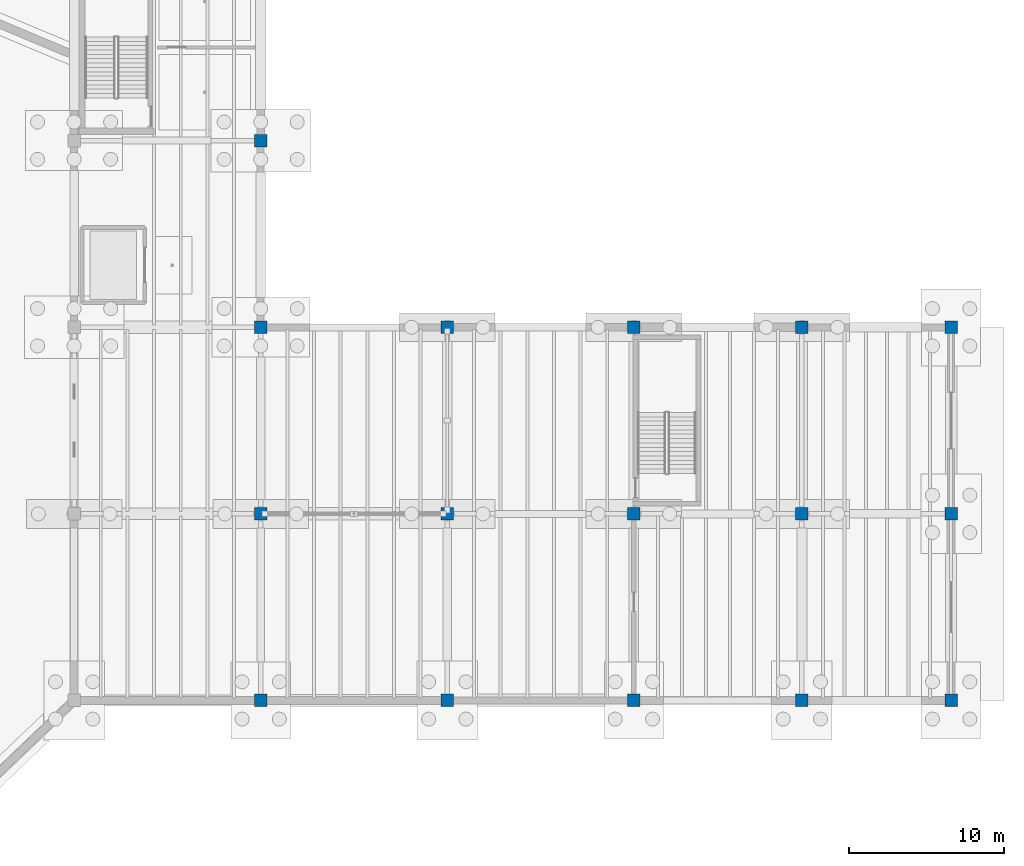
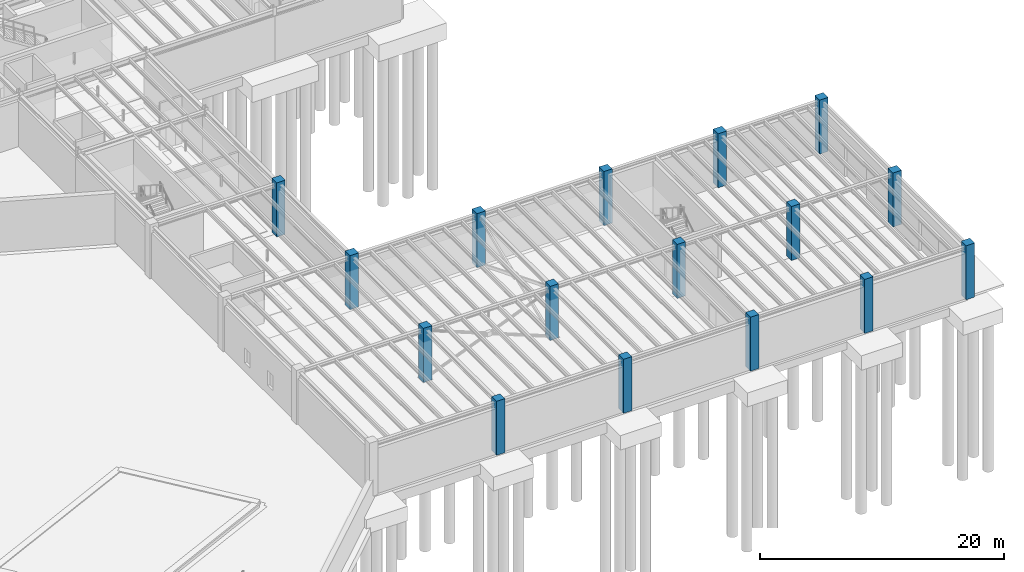
# One storey, part 19 of 67: 16 columns.
"""IFC4 building model written with IfcOpenShell, lengths in metres."""

from ifc_helpers import new_model, si_unit, direction, frame, origin, origin_2d, place, context, subcontext, project, spatial, rectangle, extrude, material, material_profile, profile_set, type_object, element, save


model = new_model("IFC4")

# Units and contexts
model_context = context("Model", 3, precision=1e-05, world=origin(), true_north=direction((0.0, 1.0)))
body_context = subcontext(model_context, "Body", "Model", "MODEL_VIEW")
ifc_project = project(units=[si_unit("LENGTHUNIT", "METRE"), si_unit("AREAUNIT", "SQUARE_METRE"), si_unit("VOLUMEUNIT", "CUBIC_METRE"), si_unit("PLANEANGLEUNIT", "RADIAN"), si_unit("MASSUNIT", "GRAM", prefix="KILO")], contexts=[model_context])

# Site, building, storey
site_placement = place(None, origin())
site = spatial("IfcSite", under=ifc_project, at=site_placement, CompositionType="ELEMENT")
building_placement = place(site_placement, origin())
building = spatial("IfcBuilding", under=site, at=building_placement, Name="Zlatogorsky Bluff Art Gallery", CompositionType="ELEMENT")
storey_placement = place(building_placement, frame((0.0, 0.0, -5.39990234375)))
storey = spatial("IfcBuildingStorey", under=building, at=storey_placement, Name="B1", CompositionType="ELEMENT", Elevation=-5.39990234375)

# Columns
ifc_material = material(Name="Concrete C35/45", Category="concrete")
ifc_material_profile = material_profile(ifc_material, rectangle(XDim=0.800048828125, YDim=0.800048828125, at=origin_2d()), Name="RC 800x800")
ifc_profile_set = profile_set([ifc_material_profile], Name="Concrete C35/45")
column_type = type_object("IfcColumnType", Name="Column CL-11 RC 800x800", PredefinedType="COLUMN", material=ifc_profile_set)
for number, where, z_axis, x_axis, name in (
    (1, (132.0, 26.39990234375, 0.0), (0.0, 0.0, 1.0), (1.0, 0.0, 0.0), "Column CL-11 B1 M4"),
    (2, (132.0, 38.39990234375, 0.0), (0.0, 0.0, 1.0), (1.0, 0.0, 0.0), "Column CL-11 B1 M5"),
    (3, (132.0, 50.39990234375, 0.0), (0.0, 0.0, 1.0), (1.0, 0.0, 0.0), "Column CL-11 B1 M6"),
    (4, (132.0, 62.39990234375, 0.0), (0.0, 0.0, 1.0), (1.0, 0.0, 0.0), "Column CL-11 B1 M7"),
    (5, (144.0, 26.39990234375, 0.0), (0.0, 0.0, 1.0), (1.0, 0.0, 0.0), "Column CL-11 B1 N4"),
    (6, (144.0, 38.39990234375, 0.0), (0.0, 0.0, 1.0), (1.0, 0.0, 0.0), "Column CL-11 B1 N5"),
    (7, (144.0, 50.39990234375, 0.0), (0.0, 0.0, 1.0), (1.0, 0.0, 0.0), "Column CL-11 B1 N6"),
    (8, (156.0, 26.39990234375, 0.0), (0.0, 0.0, 1.0), (1.0, 0.0, 0.0), "Column CL-11 B1 P4"),
    (9, (156.0, 38.39990234375, 0.0), (0.0, 0.0, 1.0), (1.0, 0.0, 0.0), "Column CL-11 B1 P5"),
    (10, (156.0, 50.39990234375, 0.0), (0.0, 0.0, 1.0), (1.0, 0.0, 0.0), "Column CL-11 B1 P6"),
    (11, (166.800048828125, 26.39990234375, 0.0), (0.0, 0.0, 1.0), (1.0, 0.0, 0.0), "Column CL-11 B1 Q4"),
    (12, (166.800048828125, 38.39990234375, 0.0), (0.0, 0.0, 1.0), (1.0, 0.0, 0.0), "Column CL-11 B1 Q5"),
    (13, (166.800048828125, 50.39990234375, 0.0), (0.0, 0.0, 1.0), (1.0, 0.0, 0.0), "Column CL-11 B1 Q6"),
    (14, (176.39990234375, 26.39990234375, 0.0), (0.0, 0.0, 1.0), (1.0, 0.0, 0.0), "Column CL-11 B1 R4"),
    (15, (176.39990234375, 38.39990234375, 0.0), (0.0, 0.0, 1.0), (1.0, 0.0, 0.0), "Column CL-11 B1 R5"),
    (16, (176.39990234375, 50.39990234375, 0.0), (0.0, 0.0, 1.0), (1.0, 0.0, 0.0), "Column CL-11 B1 R6"),
):
    element("IfcColumn", number, at=place(storey_placement, frame(where, z_axis=z_axis, x_axis=x_axis)), inside=storey, type_object=column_type, Name=name, PredefinedType="COLUMN", context=body_context, shape_type="SweptSolid", body=[
        extrude(rectangle(XDim=0.800048828125, YDim=0.800048828125, at=origin_2d()), origin(), (0.0, 0.0, 1.0), 5.39990234375),
    ])

save(model, "model.ifc")
